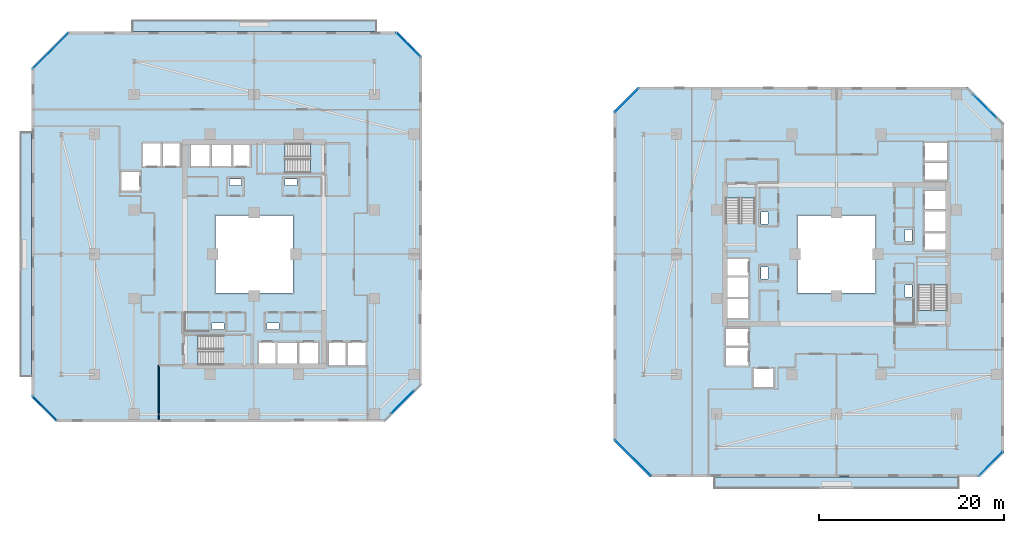
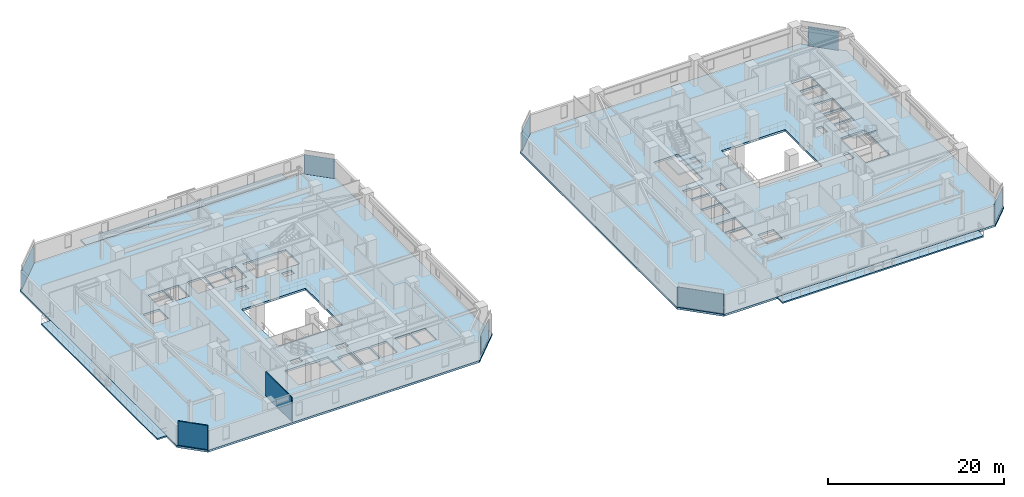
# One storey, part 18 of 33: 9 slabs, 8 plates, 2 walls, 12 elements without a shape of their own.
"""IFC4 building model written with IfcOpenShell, lengths in metres."""

import ifcopenshell
import ifcopenshell.guid

model = None  # the IFC model being written
_history = None  # IfcOwnerHistory: only IFC2X3 demands one
_inside = {}  # id of a spatial element -> (the spatial element, [elements in it])
_under = {}  # id of a project, library or spatial element -> (it, [spatial elements below it])
_declared = {}  # id of a project -> (the project, [libraries it declares])
_typed = {}  # id of a type object -> (the type object, [elements of that type])
_made_of = {}  # id of a material, layer set ... -> (it, [elements and type objects made of it])


def new_model(schema):
    """Start an empty IFC model of exactly this schema.

    Asked for "IFC4X3", IfcOpenShell would pick the latest addendum, in which some entities
    have other attributes; the version numbers below select the first issue.
    IFC2X3 requires an IfcOwnerHistory on every rooted entity: one is made here for all.
    """
    global model, _history
    if schema == "IFC4X3":
        model = ifcopenshell.file(schema_version=(4, 3, 0, 0))
    else:
        model = ifcopenshell.file(schema=schema)
    _inside.clear()
    _under.clear()
    _declared.clear()
    _typed.clear()
    _made_of.clear()
    _history = None
    if model.schema == "IFC2X3":
        org = make("IfcOrganization", Name="unknown")
        user = make(
            "IfcPersonAndOrganization",
            ThePerson=make("IfcPerson", FamilyName="unknown"),
            TheOrganization=org,
        )
        app = make(
            "IfcApplication",
            ApplicationDeveloper=org,
            Version="unknown",
            ApplicationFullName="unknown",
            ApplicationIdentifier="unknown",
        )
        _history = make(
            "IfcOwnerHistory",
            OwningUser=user,
            OwningApplication=app,
            ChangeAction="ADDED",
            CreationDate=0,
        )
    return model


def make(cls, **values):
    """One entity of the class cls with the attributes given. An attribute that is None is left unset."""
    return model.create_entity(
        cls, **{name: value for name, value in values.items() if value is not None}
    )


def rooted(cls, **values):
    """An entity with a GlobalId (a new one), such as an element, a storey or a relation."""
    return make(cls, GlobalId=ifcopenshell.guid.new(), OwnerHistory=_history, **values)


def si_unit(unit_type, name, prefix=None):
    """IfcSIUnit, for example si_unit("LENGTHUNIT", "METRE", prefix="MILLI")."""
    return make("IfcSIUnit", UnitType=unit_type, Prefix=prefix, Name=name)


def assignment(units):
    """IfcUnitAssignment: the units of a project."""
    return None if units is None else make("IfcUnitAssignment", Units=units)


def point(xyz):
    """IfcCartesianPoint."""
    return None if xyz is None else make("IfcCartesianPoint", Coordinates=xyz)


def direction(xyz):
    """IfcDirection."""
    return None if xyz is None else make("IfcDirection", DirectionRatios=xyz)


def frame(location, z_axis=None, x_axis=None):
    """IfcAxis2Placement3D, a coordinate frame: its origin and axes. An axis left out is left unset."""
    return make(
        "IfcAxis2Placement3D",
        Location=point(location),
        Axis=direction(z_axis),
        RefDirection=direction(x_axis),
    )


def frame_2d(location, x_axis=None):
    """IfcAxis2Placement2D, a coordinate frame in the plane: its origin and x axis."""
    return make(
        "IfcAxis2Placement2D", Location=point(location), RefDirection=direction(x_axis)
    )


def origin():
    """The frame at (0, 0, 0) with its axes left unset."""
    return frame((0.0, 0.0, 0.0))


def origin_2d():
    """The frame at (0, 0) in the plane with its x axis left unset."""
    return frame_2d((0.0, 0.0))


def place(relative_to, where):
    """IfcLocalPlacement: puts the frame where relative to a parent placement (None: the world)."""
    return make(
        "IfcLocalPlacement", PlacementRelTo=relative_to, RelativePlacement=where
    )


def context(
    kind, dimensions, precision=None, world=None, true_north=None, identifier=None
):
    """IfcGeometricRepresentationContext, for example the 3D "Model" context."""
    return make(
        "IfcGeometricRepresentationContext",
        ContextIdentifier=identifier,
        ContextType=kind,
        CoordinateSpaceDimension=dimensions,
        Precision=precision,
        WorldCoordinateSystem=world,
        TrueNorth=true_north,
    )


def subcontext(parent, identifier, kind, view, scale=None):
    """IfcGeometricRepresentationSubContext, for example "Body" below "Model"."""
    return make(
        "IfcGeometricRepresentationSubContext",
        ContextIdentifier=identifier,
        ContextType=kind,
        ParentContext=parent,
        TargetScale=scale,
        TargetView=view,
    )


def project(units=None, contexts=None):
    """IfcProject with its units and contexts."""
    return rooted(
        "IfcProject",
        Name="project",
        RepresentationContexts=contexts,
        UnitsInContext=assignment(units),
    )


def spatial(cls, under=None, at=None, **own):
    """A site, building, storey or space (cls), placed at a placement, below another one or the project."""
    s = rooted(cls, ObjectPlacement=at, **own)
    if under is not None:
        _under.setdefault(under.id(), (under, []))[1].append(s)
    return s


def polyline(points):
    """IfcPolyline through the points."""
    return make("IfcPolyline", Points=[point(p) for p in points])


def profile(cls, at=None, kind="AREA", **sizes):
    """A parametric profile (cls). Its sizes go by their IFC names, for example OverallWidth=200.0."""
    return make(cls, ProfileType=kind, Position=at, **sizes)


def rectangle(**sizes):
    """IfcRectangleProfileDef."""
    return profile("IfcRectangleProfileDef", **sizes)


def outline(outer, holes=None, kind="AREA"):
    """IfcArbitraryClosedProfileDef: a profile drawn as a closed curve; with holes, ...WithVoids."""
    if holes is None:
        return make("IfcArbitraryClosedProfileDef", ProfileType=kind, OuterCurve=outer)
    return make(
        "IfcArbitraryProfileDefWithVoids",
        ProfileType=kind,
        OuterCurve=outer,
        InnerCurves=holes,
    )


def extrude(swept, where, along, depth):
    """IfcExtrudedAreaSolid: the profile swept, set in the frame where, extruded along a direction by depth."""
    return make(
        "IfcExtrudedAreaSolid",
        SweptArea=swept,
        Position=where,
        ExtrudedDirection=direction(along),
        Depth=depth,
    )


def shape(context_of_items, identifier, shape_type, items):
    """IfcShapeRepresentation: the items that make up one representation, for example the "Body"."""
    return make(
        "IfcShapeRepresentation",
        ContextOfItems=context_of_items,
        RepresentationIdentifier=identifier,
        RepresentationType=shape_type,
        Items=items,
    )


def material(Name=None, Category=None):
    """IfcMaterial."""
    return make("IfcMaterial", Name=Name, Category=Category)


def layer(
    of_material, thickness, ventilated=None, Name=None, Category=None, Priority=None
):
    """IfcMaterialLayer: one layer of a wall or slab, of a material (None: an air gap)."""
    return make(
        "IfcMaterialLayer",
        Material=of_material,
        LayerThickness=thickness,
        IsVentilated=ventilated,
        Name=Name,
        Category=Category,
        Priority=Priority,
    )


def layer_set(layers, Name=None):
    """IfcMaterialLayerSet."""
    return make("IfcMaterialLayerSet", MaterialLayers=layers, LayerSetName=Name)


def made_of(thing, what):
    """Note that an element or type object is made of a material, layer set ...; save() writes the relation."""
    if what is not None:
        _made_of.setdefault(what.id(), (what, []))[1].append(thing)
    return thing


def type_object(cls, material=None, **own):
    """A type object (cls), such as IfcWallType, which elements share."""
    return made_of(rooted(cls, **own), material)


def element(
    cls,
    number,
    at=None,
    inside=None,
    cuts=None,
    type_object=None,
    material=None,
    context=None,
    identifier="Body",
    shape_type=None,
    held_by="IfcProductDefinitionShape",
    body=None,
    shapes=None,
    **own,
):
    """One element of the class cls, such as IfcWall. Its Tag is "e" and its number.

    at: its placement. inside: the storey or other place that contains it. cuts: it is an
    opening in that element (IfcRelVoidsElement). A single representation is given by context,
    identifier, shape_type and body (its items); several are given by shapes. held_by: the class
    of the entity that holds the representations. save() writes the other relations.
    """
    e = rooted(cls, Tag="e%d" % number, ObjectPlacement=at, **own)
    if body is not None:
        shapes = [shape(context, identifier, shape_type, body)]
    if shapes is not None:
        e.Representation = make(held_by, Representations=shapes)
    if inside is not None:
        _inside.setdefault(inside.id(), (inside, []))[1].append(e)
    if cuts is not None:
        rooted(
            "IfcRelVoidsElement", RelatingBuildingElement=cuts, RelatedOpeningElement=e
        )
    if type_object is not None:
        _typed.setdefault(type_object.id(), (type_object, []))[1].append(e)
    return made_of(e, material)


def aggregate(whole, parts):
    """IfcRelAggregates: a whole, such as a stair, and the parts it consists of."""
    return rooted("IfcRelAggregates", RelatingObject=whole, RelatedObjects=parts)


def save(model, path):
    """Write the relations noted so far, then the file.

    IfcRelAggregates (storeys below a building ...), IfcRelContainedInSpatialStructure (elements
    in a storey), IfcRelDefinesByType, IfcRelAssociatesMaterial and IfcRelDeclares: one each for
    every whole, place, type object, material and project.
    """
    for whole, parts in _under.values():
        aggregate(whole, parts)
    for where, things in _inside.values():
        rooted(
            "IfcRelContainedInSpatialStructure",
            RelatedElements=things,
            RelatingStructure=where,
        )
    for kind, things in _typed.values():
        rooted("IfcRelDefinesByType", RelatedObjects=things, RelatingType=kind)
    for what, things in _made_of.values():
        rooted("IfcRelAssociatesMaterial", RelatedObjects=things, RelatingMaterial=what)
    for by, libraries in _declared.values():
        rooted("IfcRelDeclares", RelatingContext=by, RelatedDefinitions=libraries)
    model.write(path)


model = new_model("IFC4")

# Units and contexts
model_context = context("Model", 3, precision=1e-05, world=origin(), true_north=direction((0.0, 1.0)))
body_context = subcontext(model_context, "Body", "Model", "MODEL_VIEW")
ifc_project = project(units=[si_unit("LENGTHUNIT", "METRE"), si_unit("AREAUNIT", "SQUARE_METRE"), si_unit("VOLUMEUNIT", "CUBIC_METRE"), si_unit("PLANEANGLEUNIT", "RADIAN"), si_unit("MASSUNIT", "GRAM", prefix="KILO")], contexts=[model_context])

# Site, building, storey
site_placement = place(None, origin())
site = spatial("IfcSite", under=ifc_project, at=site_placement, CompositionType="ELEMENT")
building_placement = place(site_placement, origin())
building = spatial("IfcBuilding", under=site, at=building_placement, Name="Thornwick Lancets Civic Towers", CompositionType="ELEMENT")
storey_placement = place(building_placement, frame((0.0, 0.0, 101.699951171875)))
storey = spatial("IfcBuildingStorey", under=building, at=storey_placement, Name="L26", CompositionType="ELEMENT", Elevation=101.699951171875)

# Curtain wall, plate
ifc_material_1 = material(Name="Low-zone chamfered-corner unitised glass curtain wall", Category="glass")
curtain_wall_type = type_object("IfcCurtainWallType", Name="CW_SYS_03", PredefinedType="NOTDEFINED", material=ifc_material_1)
curtain_wall_1_placement = place(storey_placement, origin())
curtain_wall_1 = element("IfcCurtainWall", 1, at=curtain_wall_1_placement, inside=storey, type_object=curtain_wall_type, Name="L26 Curtain Wall CW-L26-A-E1", PredefinedType="NOTDEFINED")
ifc_material_2 = material(Name="Low-e double glazing clear glass", Category="glass")
ifc_layer_1 = layer(ifc_material_2, 0.035888671875, Name="Low-e double glazing clear glass")
ifc_layer_set_1 = layer_set([ifc_layer_1], Name="Low-e double glazing clear glass")
plate_type = type_object("IfcPlateType", Name="CW_PNL_GLASS", PredefinedType="CURTAIN_PANEL", material=ifc_layer_set_1)
plate_1_placement = place(storey_placement, frame((41.518798828125, 10.981201171875, 0.0), z_axis=(0.0, 0.0, 1.0), x_axis=(0.707106781187, 0.707106781187, 0.0)))
plate_1 = element("IfcPlate", 2, at=plate_1_placement, type_object=plate_type, Name="CW-L26-A-E1 Panel 0", PredefinedType="CURTAIN_PANEL", context=body_context, shape_type="SweptSolid", body=[
    extrude(rectangle(XDim=3.5771484375, YDim=0.035888671875, at=origin_2d()), origin(), (0.0, 0.0, 1.0), 2.699951171875),
])
aggregate(curtain_wall_1, [plate_1])

curtain_wall_2_placement = place(storey_placement, origin())
curtain_wall_2 = element("IfcCurtainWall", 3, at=curtain_wall_2_placement, inside=storey, type_object=curtain_wall_type, Name="L26 Curtain Wall CW-L26-A-E3", PredefinedType="NOTDEFINED")
plate_2_placement = place(storey_placement, frame((42.173095703125, 49.673095703125, 0.0), z_axis=(0.0, 0.0, 1.0), x_axis=(-0.707106781187, 0.707106781187, 0.0)))
plate_2 = element("IfcPlate", 4, at=plate_2_placement, type_object=plate_type, Name="CW-L26-A-E3 Panel 0", PredefinedType="CURTAIN_PANEL", context=body_context, shape_type="SweptSolid", body=[
    extrude(rectangle(XDim=3.6494140625, YDim=0.035888671875, at=origin_2d()), origin(), (0.0, 0.0, 1.0), 2.699951171875),
])
aggregate(curtain_wall_2, [plate_2])

curtain_wall_3_placement = place(storey_placement, origin())
curtain_wall_3 = element("IfcCurtainWall", 5, at=curtain_wall_3_placement, inside=storey, type_object=curtain_wall_type, Name="L26 Curtain Wall CW-L26-A-E5", PredefinedType="NOTDEFINED")
plate_3_placement = place(storey_placement, frame((3.481201171875, 49.018798828125, 0.0), z_axis=(0.0, 0.0, 1.0), x_axis=(-0.707106781187, -0.707106781187, 0.0)))
plate_3 = element("IfcPlate", 6, at=plate_3_placement, type_object=plate_type, Name="CW-L26-A-E5 Panel 0", PredefinedType="CURTAIN_PANEL", context=body_context, shape_type="SweptSolid", body=[
    extrude(rectangle(XDim=5.48779296875, YDim=0.035888671875, at=origin_2d()), origin(), (0.0, 0.0, 1.0), 2.699951171875),
])
aggregate(curtain_wall_3, [plate_3])

curtain_wall_4_placement = place(storey_placement, origin())
curtain_wall_4 = element("IfcCurtainWall", 7, at=curtain_wall_4_placement, inside=storey, type_object=curtain_wall_type, Name="L26 Curtain Wall CW-L26-A-E7", PredefinedType="NOTDEFINED")
plate_4_placement = place(storey_placement, frame((2.826904296875, 10.326904296875, 0.0), z_axis=(0.0, 0.0, 1.0), x_axis=(0.707106781187, -0.707106781187, 0.0)))
plate_4 = element("IfcPlate", 8, at=plate_4_placement, type_object=plate_type, Name="CW-L26-A-E7 Panel 0", PredefinedType="CURTAIN_PANEL", context=body_context, shape_type="SweptSolid", body=[
    extrude(rectangle(XDim=3.6494140625, YDim=0.035888671875, at=origin_2d()), origin(), (0.0, 0.0, 1.0), 2.699951171875),
])
aggregate(curtain_wall_4, [plate_4])

curtain_wall_5_placement = place(storey_placement, origin())
curtain_wall_5 = element("IfcCurtainWall", 9, at=curtain_wall_5_placement, inside=storey, type_object=curtain_wall_type, Name="L26 Curtain Wall CW-L26-B-E1", PredefinedType="NOTDEFINED")
plate_5_placement = place(storey_placement, frame((105.173095703125, 4.326904296875, 0.0), z_axis=(0.0, 0.0, 1.0), x_axis=(0.707106781187, 0.707106781187, 0.0)))
plate_5 = element("IfcPlate", 10, at=plate_5_placement, type_object=plate_type, Name="CW-L26-B-E1 Panel 0", PredefinedType="CURTAIN_PANEL", context=body_context, shape_type="SweptSolid", body=[
    extrude(rectangle(XDim=3.6494140625, YDim=0.035888671875, at=origin_2d()), origin(), (0.0, 0.0, 1.0), 2.699951171875),
])
aggregate(curtain_wall_5, [plate_5])

curtain_wall_6_placement = place(storey_placement, origin())
curtain_wall_6 = element("IfcCurtainWall", 11, at=curtain_wall_6_placement, inside=storey, type_object=curtain_wall_type, Name="L26 Curtain Wall CW-L26-B-E3", PredefinedType="NOTDEFINED")
plate_6_placement = place(storey_placement, frame((104.518798828125, 43.018798828125, 0.0), z_axis=(0.0, 0.0, 1.0), x_axis=(-0.707106781187, 0.707106781187, 0.0)))
plate_6 = element("IfcPlate", 12, at=plate_6_placement, type_object=plate_type, Name="CW-L26-B-E3 Panel 0", PredefinedType="CURTAIN_PANEL", context=body_context, shape_type="SweptSolid", body=[
    extrude(rectangle(XDim=3.5771484375, YDim=0.035888671875, at=origin_2d()), origin(), (0.0, 0.0, 1.0), 2.699951171875),
])
aggregate(curtain_wall_6, [plate_6])

curtain_wall_7_placement = place(storey_placement, origin())
curtain_wall_7 = element("IfcCurtainWall", 13, at=curtain_wall_7_placement, inside=storey, type_object=curtain_wall_type, Name="L26 Curtain Wall CW-L26-B-E5", PredefinedType="NOTDEFINED")
plate_7_placement = place(storey_placement, frame((65.826904296875, 43.673095703125, 0.0), z_axis=(0.0, 0.0, 1.0), x_axis=(-0.707106781187, -0.707106781187, 0.0)))
plate_7 = element("IfcPlate", 14, at=plate_7_placement, type_object=plate_type, Name="CW-L26-B-E5 Panel 0", PredefinedType="CURTAIN_PANEL", context=body_context, shape_type="SweptSolid", body=[
    extrude(rectangle(XDim=3.6494140625, YDim=0.035888671875, at=origin_2d()), origin(), (0.0, 0.0, 1.0), 2.699951171875),
])
aggregate(curtain_wall_7, [plate_7])

curtain_wall_8_placement = place(storey_placement, origin())
curtain_wall_8 = element("IfcCurtainWall", 15, at=curtain_wall_8_placement, inside=storey, type_object=curtain_wall_type, Name="L26 Curtain Wall CW-L26-B-E7", PredefinedType="NOTDEFINED")
plate_8_placement = place(storey_placement, frame((66.481201171875, 4.981201171875, 0.0), z_axis=(0.0, 0.0, 1.0), x_axis=(0.707106781187, -0.707106781187, 0.0)))
plate_8 = element("IfcPlate", 16, at=plate_8_placement, type_object=plate_type, Name="CW-L26-B-E7 Panel 0", PredefinedType="CURTAIN_PANEL", context=body_context, shape_type="SweptSolid", body=[
    extrude(rectangle(XDim=5.48779296875, YDim=0.035888671875, at=origin_2d()), origin(), (0.0, 0.0, 1.0), 2.699951171875),
])
aggregate(curtain_wall_8, [plate_8])

# Slabs
ifc_material_3 = material(Name="Post-tensioned concrete C40/50", Category="concrete")
ifc_layer_2 = layer(ifc_material_3, 0.199951171875, Name="Post-tensioned concrete C40/50")
ifc_layer_set_2 = layer_set([ifc_layer_2], Name="Post-tensioned concrete C40/50")
slab_type_1 = type_object("IfcSlabType", Name="SLAB_BALCONY_200", PredefinedType="FLOOR", material=ifc_layer_set_2)
slab_1_placement = place(storey_placement, frame((0.0, 0.0, -0.199951171875)))
element("IfcSlab", 17, at=slab_1_placement, inside=storey, type_object=slab_type_1, Name="L26 Tower A Planted Balcony Slab W", PredefinedType="FLOOR", context=body_context, shape_type="SweptSolid", body=[
    extrude(outline(polyline([(0.14990234375, 13.800048828125), (1.39990234375, 13.800048828125), (1.39990234375, 40.199951171875), (0.14990234375, 40.199951171875), (0.14990234375, 13.800048828125)])), origin(), (0.0, 0.0, 1.0), 0.199951171875),
])
slab_2_placement = place(storey_placement, frame((0.0, 0.0, -0.199951171875)))
element("IfcSlab", 18, at=slab_2_placement, inside=storey, type_object=slab_type_1, Name="L26 Tower A Planted Balcony Slab N", PredefinedType="FLOOR", context=body_context, shape_type="SweptSolid", body=[
    extrude(outline(polyline([(12.300048828125, 51.10009765625), (38.699951171875, 51.10009765625), (38.699951171875, 52.35009765625), (12.300048828125, 52.35009765625), (12.300048828125, 51.10009765625)])), origin(), (0.0, 0.0, 1.0), 0.199951171875),
])
slab_3_placement = place(storey_placement, frame((0.0, 0.0, -0.199951171875)))
element("IfcSlab", 19, at=slab_3_placement, inside=storey, type_object=slab_type_1, Name="L26 Tower B Planted Balcony Slab S", PredefinedType="FLOOR", context=body_context, shape_type="SweptSolid", body=[
    extrude(outline(polyline([(75.300048828125, 1.64990234375), (101.699951171875, 1.64990234375), (101.699951171875, 2.89990234375), (75.300048828125, 2.89990234375), (75.300048828125, 1.64990234375)])), origin(), (0.0, 0.0, 1.0), 0.199951171875),
])

# Stair, slab
ifc_material_4 = material(Name="Concrete C40/50", Category="concrete")
stair_type = type_object("IfcStairType", Name="STAIR_DL_3600", PredefinedType="HALF_TURN_STAIR", material=ifc_material_4)
stair_1_placement = place(storey_placement, origin())
stair_1 = element("IfcStair", 20, at=stair_1_placement, inside=storey, type_object=stair_type, Name="L26 Tower A South Exit Stair ST-A1", PredefinedType="HALF_TURN_STAIR")
ifc_layer_3 = layer(ifc_material_4, 0.25, Name="Concrete C40/50")
ifc_layer_set_3 = layer_set([ifc_layer_3], Name="Concrete C40/50")
slab_type_2 = type_object("IfcSlabType", Name="SLAB_LANDING_200", PredefinedType="LANDING", material=ifc_layer_set_3)
slab_4_placement = place(storey_placement, frame((0.0, 0.0, 1.60302734375)))
slab_4 = element("IfcSlab", 21, at=slab_4_placement, type_object=slab_type_2, Name="ST-A1 landing 1", PredefinedType="LANDING", context=body_context, shape_type="SweptSolid", body=[
    extrude(outline(polyline([(22.169921875, 14.93994140625), (25.14990234375, 14.93994140625), (25.14990234375, 18.260009765625), (22.169921875, 18.260009765625), (22.169921875, 14.93994140625)])), origin(), (0.0, 0.0, 1.0), 0.199951171875),
])
aggregate(stair_1, [slab_4])

stair_2_placement = place(storey_placement, origin())
stair_2 = element("IfcStair", 22, at=stair_2_placement, inside=storey, type_object=stair_type, Name="L26 Tower A North Exit Stair ST-A2", PredefinedType="HALF_TURN_STAIR")
slab_5_placement = place(storey_placement, frame((0.0, 0.0, 1.60302734375)))
slab_5 = element("IfcSlab", 23, at=slab_5_placement, type_object=slab_type_2, Name="ST-A2 landing 1", PredefinedType="LANDING", context=body_context, shape_type="SweptSolid", body=[
    extrude(outline(polyline([(28.830078125, 39.06005859375), (25.85009765625, 39.06005859375), (25.85009765625, 35.739990234375), (28.830078125, 35.739990234375), (28.830078125, 39.06005859375)])), origin(), (0.0, 0.0, 1.0), 0.199951171875),
])
aggregate(stair_2, [slab_5])

stair_3_placement = place(storey_placement, origin())
stair_3 = element("IfcStair", 24, at=stair_3_placement, inside=storey, type_object=stair_type, Name="L26 Tower B East Exit Stair ST-B1", PredefinedType="HALF_TURN_STAIR")
slab_6_placement = place(storey_placement, frame((0.0, 0.0, 1.60302734375)))
slab_6 = element("IfcSlab", 25, at=slab_6_placement, type_object=slab_type_2, Name="ST-B1 landing 1", PredefinedType="LANDING", context=body_context, shape_type="SweptSolid", body=[
    extrude(outline(polyline([(100.56005859375, 23.669921875), (100.56005859375, 26.64990234375), (97.239990234375, 26.64990234375), (97.239990234375, 23.669921875), (100.56005859375, 23.669921875)])), origin(), (0.0, 0.0, 1.0), 0.199951171875),
])
aggregate(stair_3, [slab_6])

stair_4_placement = place(storey_placement, origin())
stair_4 = element("IfcStair", 26, at=stair_4_placement, inside=storey, type_object=stair_type, Name="L26 Tower B West Exit Stair ST-B2", PredefinedType="HALF_TURN_STAIR")
slab_7_placement = place(storey_placement, frame((0.0, 0.0, 1.60302734375)))
slab_7 = element("IfcSlab", 27, at=slab_7_placement, type_object=slab_type_2, Name="ST-B2 landing 1", PredefinedType="LANDING", context=body_context, shape_type="SweptSolid", body=[
    extrude(outline(polyline([(76.43994140625, 30.330078125), (76.43994140625, 27.35009765625), (79.760009765625, 27.35009765625), (79.760009765625, 30.330078125), (76.43994140625, 30.330078125)])), origin(), (0.0, 0.0, 1.0), 0.199951171875),
])
aggregate(stair_4, [slab_7])

# Slabs
ifc_layer_4 = layer(ifc_material_3, 0.280029296875, Name="Post-tensioned concrete C40/50")
ifc_layer_set_4 = layer_set([ifc_layer_4], Name="Post-tensioned concrete C40/50")
slab_type_3 = type_object("IfcSlabType", Name="SLAB_PT_280", PredefinedType="FLOOR", material=ifc_layer_set_4)
slab_8_placement = place(storey_placement, frame((0.0, 0.0, -0.280029296875)))
element("IfcSlab", 28, at=slab_8_placement, inside=storey, type_object=slab_type_3, Name="L26 Tower A Floor Slab", PredefinedType="FLOOR", context=body_context, shape_type="SweptSolid", body=[
    extrude(outline(polyline([(4.0, 8.89990234375), (39.69091796875, 8.89990234375), (43.60009765625, 12.80908203125), (43.60009765625, 48.5), (41.0, 51.10009765625), (5.30908203125, 51.10009765625), (1.39990234375, 47.19091796875), (1.39990234375, 11.5), (4.0, 8.89990234375)]), holes=[polyline([(21.300048828125, 22.800048828125), (29.699951171875, 22.800048828125), (29.699951171875, 31.199951171875), (21.300048828125, 31.199951171875), (21.300048828125, 22.800048828125)]), polyline([(19.429931640625, 15.0), (25.10009765625, 15.0), (25.10009765625, 18.199951171875), (19.429931640625, 18.199951171875), (19.429931640625, 15.0)]), polyline([(31.570068359375, 39.0), (25.89990234375, 39.0), (25.89990234375, 35.800048828125), (31.570068359375, 35.800048828125), (31.570068359375, 39.0)]), polyline([(26.0, 15.0), (27.800048828125, 15.0), (27.800048828125, 17.550048828125), (26.0, 17.550048828125), (26.0, 15.0)]), polyline([(28.0, 15.0), (30.14990234375, 15.0), (30.14990234375, 17.550048828125), (28.0, 17.550048828125), (28.0, 15.0)]), polyline([(30.35009765625, 15.0), (32.39990234375, 15.0), (32.39990234375, 17.550048828125), (30.35009765625, 17.550048828125), (30.35009765625, 15.0)]), polyline([(33.550048828125, 15.0), (35.449951171875, 15.0), (35.449951171875, 17.550048828125), (33.550048828125, 17.550048828125), (33.550048828125, 15.0)]), polyline([(35.60009765625, 15.0), (37.550048828125, 15.0), (37.550048828125, 17.550048828125), (35.60009765625, 17.550048828125), (35.60009765625, 15.0)]), polyline([(23.199951171875, 36.449951171875), (25.0, 36.449951171875), (25.0, 39.0), (23.199951171875, 39.0), (23.199951171875, 36.449951171875)]), polyline([(20.85009765625, 36.449951171875), (23.0, 36.449951171875), (23.0, 39.0), (20.85009765625, 39.0), (20.85009765625, 36.449951171875)]), polyline([(18.60009765625, 36.449951171875), (20.699951171875, 36.449951171875), (20.699951171875, 39.0), (18.60009765625, 39.0), (18.60009765625, 36.449951171875)]), polyline([(15.550048828125, 36.449951171875), (17.449951171875, 36.449951171875), (17.449951171875, 39.0), (15.550048828125, 39.0), (15.550048828125, 36.449951171875)]), polyline([(13.449951171875, 36.449951171875), (15.39990234375, 36.449951171875), (15.39990234375, 39.0), (13.449951171875, 39.0), (13.449951171875, 36.449951171875)]), polyline([(11.10009765625, 33.85009765625), (13.199951171875, 33.85009765625), (13.199951171875, 35.949951171875), (11.10009765625, 35.949951171875), (11.10009765625, 33.85009765625)]), polyline([(26.89990234375, 18.85009765625), (28.199951171875, 18.85009765625), (28.199951171875, 19.580078125), (26.89990234375, 19.580078125), (26.89990234375, 18.85009765625)]), polyline([(20.89990234375, 18.85009765625), (22.199951171875, 18.85009765625), (22.199951171875, 19.580078125), (20.89990234375, 19.580078125), (20.89990234375, 18.85009765625)]), polyline([(22.800048828125, 34.419921875), (24.10009765625, 34.419921875), (24.10009765625, 35.14990234375), (22.800048828125, 35.14990234375), (22.800048828125, 34.419921875)]), polyline([(28.800048828125, 34.419921875), (30.10009765625, 34.419921875), (30.10009765625, 35.14990234375), (28.800048828125, 35.14990234375), (28.800048828125, 34.419921875)])]), origin(), (0.0, 0.0, 1.0), 0.280029296875),
])
slab_9_placement = place(storey_placement, frame((0.0, 0.0, -0.280029296875)))
element("IfcSlab", 29, at=slab_9_placement, inside=storey, type_object=slab_type_3, Name="L26 Tower B Floor Slab", PredefinedType="FLOOR", context=body_context, shape_type="SweptSolid", body=[
    extrude(outline(polyline([(68.30908203125, 2.89990234375), (104.0, 2.89990234375), (106.60009765625, 5.5), (106.60009765625, 41.19091796875), (102.69091796875, 45.10009765625), (67.0, 45.10009765625), (64.39990234375, 42.5), (64.39990234375, 6.80908203125), (68.30908203125, 2.89990234375)]), holes=[polyline([(84.300048828125, 22.800048828125), (92.699951171875, 22.800048828125), (92.699951171875, 31.199951171875), (84.300048828125, 31.199951171875), (84.300048828125, 22.800048828125)]), polyline([(100.5, 20.929931640625), (100.5, 26.60009765625), (97.300048828125, 26.60009765625), (97.300048828125, 20.929931640625), (100.5, 20.929931640625)]), polyline([(76.5, 33.070068359375), (76.5, 27.39990234375), (79.699951171875, 27.39990234375), (79.699951171875, 33.070068359375), (76.5, 33.070068359375)]), polyline([(97.949951171875, 27.5), (100.5, 27.5), (100.5, 29.300048828125), (97.949951171875, 29.300048828125), (97.949951171875, 27.5)]), polyline([(97.949951171875, 29.5), (100.5, 29.5), (100.5, 31.64990234375), (97.949951171875, 31.64990234375), (97.949951171875, 29.5)]), polyline([(97.949951171875, 31.85009765625), (100.5, 31.85009765625), (100.5, 33.89990234375), (97.949951171875, 33.89990234375), (97.949951171875, 31.85009765625)]), polyline([(97.949951171875, 35.050048828125), (100.5, 35.050048828125), (100.5, 36.949951171875), (97.949951171875, 36.949951171875), (97.949951171875, 35.050048828125)]), polyline([(97.949951171875, 37.10009765625), (100.5, 37.10009765625), (100.5, 39.050048828125), (97.949951171875, 39.050048828125), (97.949951171875, 37.10009765625)]), polyline([(76.5, 24.699951171875), (79.050048828125, 24.699951171875), (79.050048828125, 26.5), (76.5, 26.5), (76.5, 24.699951171875)]), polyline([(76.5, 22.35009765625), (79.050048828125, 22.35009765625), (79.050048828125, 24.5), (76.5, 24.5), (76.5, 22.35009765625)]), polyline([(76.5, 20.10009765625), (79.050048828125, 20.10009765625), (79.050048828125, 22.199951171875), (76.5, 22.199951171875), (76.5, 20.10009765625)]), polyline([(76.5, 17.050048828125), (79.050048828125, 17.050048828125), (79.050048828125, 18.949951171875), (76.5, 18.949951171875), (76.5, 17.050048828125)]), polyline([(76.5, 14.949951171875), (79.050048828125, 14.949951171875), (79.050048828125, 16.89990234375), (76.5, 16.89990234375), (76.5, 14.949951171875)]), polyline([(79.550048828125, 12.60009765625), (81.64990234375, 12.60009765625), (81.64990234375, 14.699951171875), (79.550048828125, 14.699951171875), (79.550048828125, 12.60009765625)]), polyline([(95.919921875, 28.39990234375), (96.64990234375, 28.39990234375), (96.64990234375, 29.699951171875), (95.919921875, 29.699951171875), (95.919921875, 28.39990234375)]), polyline([(95.919921875, 22.39990234375), (96.64990234375, 22.39990234375), (96.64990234375, 23.699951171875), (95.919921875, 23.699951171875), (95.919921875, 22.39990234375)]), polyline([(80.35009765625, 24.300048828125), (81.080078125, 24.300048828125), (81.080078125, 25.60009765625), (80.35009765625, 25.60009765625), (80.35009765625, 24.300048828125)]), polyline([(80.35009765625, 30.300048828125), (81.080078125, 30.300048828125), (81.080078125, 31.60009765625), (80.35009765625, 31.60009765625), (80.35009765625, 30.300048828125)])]), origin(), (0.0, 0.0, 1.0), 0.280029296875),
])

# Walls
ifc_material_5 = material(Name="Acoustic gypsum board partition")
ifc_layer_5 = layer(ifc_material_5, 0.1201171875, Name="Acoustic gypsum board partition")
ifc_layer_set_5 = layer_set([ifc_layer_5], Name="Acoustic gypsum board partition")
wall_type = type_object("IfcWallType", Name="WALL_PART_120", PredefinedType="PARTITIONING", material=ifc_layer_set_5)
wall_1_placement = place(storey_placement, frame((15.14990234375, 15.0, 0.0), z_axis=(0.0, 0.0, 1.0), x_axis=(0.0, -1.0, 0.0)))
element("IfcWall", 30, at=wall_1_placement, inside=storey, type_object=wall_type, Name="L26 Partition L26-A-W1 E8", PredefinedType="PARTITIONING", context=body_context, shape_type="SweptSolid", body=[
    extrude(rectangle(XDim=5.919921875, YDim=0.1201171875, at=frame_2d((2.9599609375, 0.0))), origin(), (0.0, 0.0, 1.0), 3.340087890625),
])
wall_2_placement = place(storey_placement, frame((4.07470703125, 9.080078125, 0.0), z_axis=(0.0, 0.0, 1.0), x_axis=(-0.707106781187, 0.707106781187, 0.0)))
element("IfcWall", 31, at=wall_2_placement, inside=storey, type_object=wall_type, Name="L26 Partition L26-A-W1 E10", PredefinedType="PARTITIONING", context=body_context, shape_type="SweptSolid", body=[
    extrude(rectangle(XDim=3.52783203125, YDim=0.1201171875, at=frame_2d((1.763916015625, 0.0))), origin(), (0.0, 0.0, 1.0), 3.340087890625),
])

save(model, "model.ifc")
